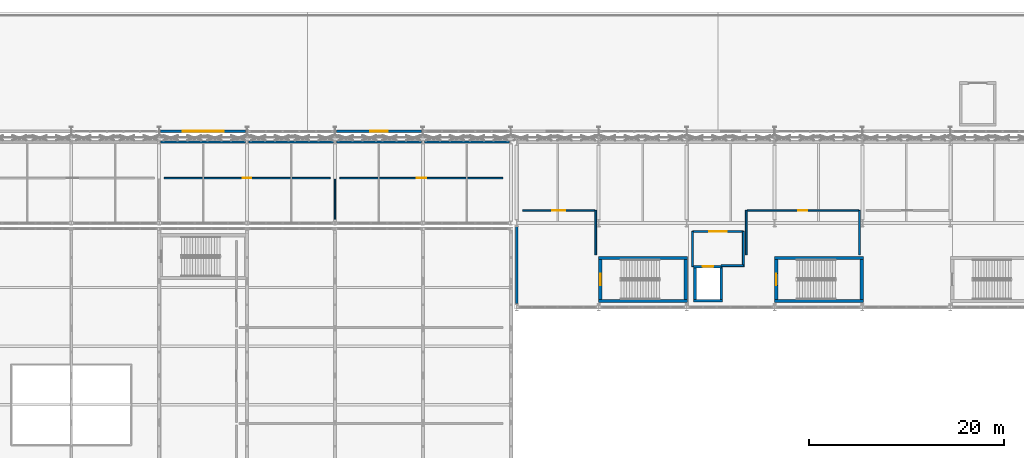
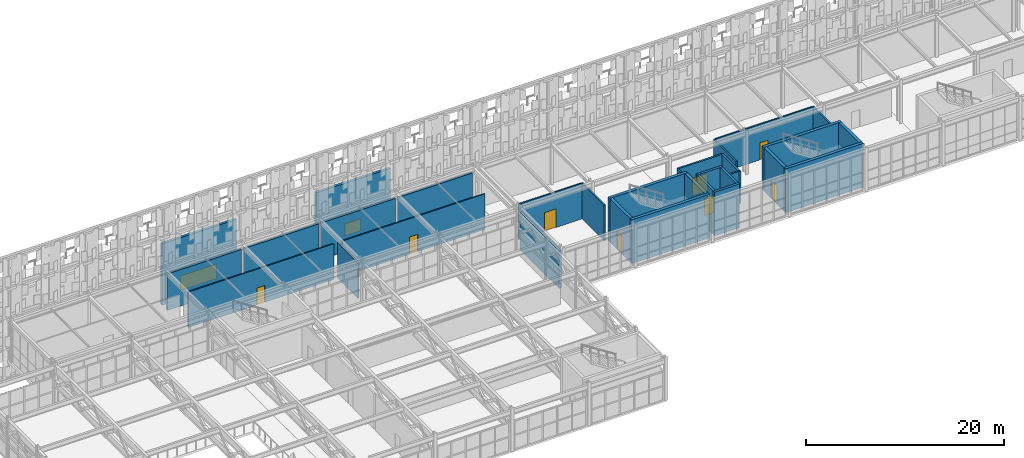
# One storey, part 156 of 210: 31 walls, 8 doors, 2 windows, 10 openings.
"""IFC4 building model written with IfcOpenShell, lengths in metres."""

from ifc_helpers import new_model, si_unit, direction, frame, frame_2d, origin, place, context, subcontext, project, spatial, rectangle, extrude, material, layer, layer_set, type_object, element, fill, save


model = new_model("IFC4")

# Units and contexts
model_context = context("Model", 3, precision=1e-05, world=origin(), true_north=direction((0.0, 1.0)))
body_context = subcontext(model_context, "Body", "Model", "MODEL_VIEW")
ifc_project = project(units=[si_unit("LENGTHUNIT", "METRE"), si_unit("AREAUNIT", "SQUARE_METRE"), si_unit("VOLUMEUNIT", "CUBIC_METRE"), si_unit("PLANEANGLEUNIT", "RADIAN"), si_unit("MASSUNIT", "GRAM", prefix="KILO")], contexts=[model_context])

# Site, building, storey
site_placement = place(None, origin())
site = spatial("IfcSite", under=ifc_project, at=site_placement, CompositionType="ELEMENT")
building_placement = place(site_placement, origin())
building = spatial("IfcBuilding", under=site, at=building_placement, Name="Kaldris Quays Convention Centre", CompositionType="ELEMENT")
storey_placement = place(building_placement, frame((0.0, 0.0, 6.0)))
storey = spatial("IfcBuildingStorey", under=building, at=storey_placement, Name="L01", CompositionType="ELEMENT", Elevation=6.0)

# Wall, opening, window
ifc_material_1 = material(Name="Precast concrete C40/50", Category="concrete")
ifc_layer_1 = layer(ifc_material_1, 0.2880859375)
ifc_layer_set_1 = layer_set([ifc_layer_1], Name="Precast concrete C40/50")
wall_type_1 = type_object("IfcWallType", Name="EXTERIOR WALL EW03", PredefinedType="STANDARD", material=ifc_layer_set_1)
wall_1_placement = place(storey_placement, frame((47.14599609375, 56.0, 0.0), z_axis=(0.0, 0.0, 1.0), x_axis=(1.0, 0.0, 0.0)))
wall_1 = element("IfcWall", 1, at=wall_1_placement, inside=storey, type_object=wall_type_1, Name="L01 Exterior Wall EW03 11", PredefinedType="STANDARD", context=body_context, shape_type="SweptSolid", body=[
    extrude(rectangle(XDim=8.7080078125, YDim=0.2880859375, at=frame_2d((4.35400390625, 0.0))), origin(), (0.0, 0.0, 1.0), 7.60009765625),
])
opening_1_placement = place(wall_1_placement, frame((2.25390625, 0.0, 1.0)))
opening_1 = element("IfcOpeningElement", 2, at=opening_1_placement, cuts=wall_1, Name="Opening WN07", PredefinedType="OPENING", context=body_context, shape_type="SweptSolid", body=[
    extrude(rectangle(XDim=4.199951171875, YDim=1.800048828125, at=frame_2d((2.10009765625, 0.89990234375))), frame((0.0, 0.154052734375, 0.0), z_axis=(0.0, -1.0, 0.0), x_axis=(1.0, 0.0, 0.0)), (0.0, 0.0, 1.0), 0.30810546875),
])
ifc_material_2 = material(Name="Triple low-E insulated glazing", Category="glass")
window_type_1 = type_object("IfcWindowType", Name="TRIPLE GLAZED WINDOW WN07", PartitioningType="SINGLE_PANEL", PredefinedType="WINDOW", material=ifc_material_2)
window_1_placement = place(opening_1_placement, origin())
window_1 = element("IfcWindow", 3, at=window_1_placement, inside=storey, type_object=window_type_1, Name="L01 Exterior Window WN07 2", OverallHeight=1.800048828125, OverallWidth=4.199951171875, PartitioningType="SINGLE_PANEL", PredefinedType="WINDOW", context=body_context, shape_type="SweptSolid", body=[
    extrude(rectangle(XDim=4.199951171875, YDim=1.800048828125, at=frame_2d((2.10009765625, 0.89990234375))), frame((0.0, 0.030029296875, 0.0), z_axis=(0.0, -1.0, 0.0), x_axis=(1.0, 0.0, 0.0)), (0.0, 0.0, 1.0), 0.06005859375),
])
fill(opening_1, window_1)

wall_2_placement = place(storey_placement, frame((65.14599609375, 56.0, 0.0), z_axis=(0.0, 0.0, 1.0), x_axis=(1.0, 0.0, 0.0)))
wall_2 = element("IfcWall", 4, at=wall_2_placement, inside=storey, type_object=wall_type_1, Name="L01 Exterior Wall EW03 17", PredefinedType="STANDARD", context=body_context, shape_type="SweptSolid", body=[
    extrude(rectangle(XDim=8.7080078125, YDim=0.2880859375, at=frame_2d((4.35400390625, 0.0))), origin(), (0.0, 0.0, 1.0), 7.60009765625),
])
opening_2_placement = place(wall_2_placement, frame((3.4541015625, 0.0, 1.0)))
opening_2 = element("IfcOpeningElement", 5, at=opening_2_placement, cuts=wall_2, Name="Opening WN11", PredefinedType="OPENING", context=body_context, shape_type="SweptSolid", body=[
    extrude(rectangle(XDim=1.800048828125, YDim=1.5, at=frame_2d((0.89990234375, 0.75))), frame((0.0, 0.154052734375, 0.0), z_axis=(0.0, -1.0, 0.0), x_axis=(1.0, 0.0, 0.0)), (0.0, 0.0, 1.0), 0.30810546875),
])
window_type_2 = type_object("IfcWindowType", Name="TRIPLE GLAZED WINDOW WN11", PartitioningType="SINGLE_PANEL", PredefinedType="WINDOW", material=ifc_material_2)
window_2_placement = place(opening_2_placement, origin())
window_2 = element("IfcWindow", 6, at=window_2_placement, inside=storey, type_object=window_type_2, Name="L01 Exterior Window WN11 6", OverallHeight=1.5, OverallWidth=1.800048828125, PartitioningType="SINGLE_PANEL", PredefinedType="WINDOW", context=body_context, shape_type="SweptSolid", body=[
    extrude(rectangle(XDim=1.800048828125, YDim=1.5, at=frame_2d((0.89990234375, 0.75))), frame((0.0, 0.030029296875, 0.0), z_axis=(0.0, -1.0, 0.0), x_axis=(1.0, 0.0, 0.0)), (0.0, 0.0, 1.0), 0.06005859375),
])
fill(opening_2, window_2)

# Walls
wall_3_placement = place(storey_placement, frame((83.60009765625, 38.345947265625, 0.0), z_axis=(0.0, 0.0, 1.0), x_axis=(0.0, 1.0, 0.0)))
element("IfcWall", 7, at=wall_3_placement, inside=storey, type_object=wall_type_1, Name="L01 Exterior Wall EW03 246", PredefinedType="STANDARD", context=body_context, shape_type="SweptSolid", body=[
    extrude(rectangle(XDim=7.907958984375, YDim=0.2880859375, at=frame_2d((3.9541015625, 0.0))), origin(), (0.0, 0.0, 1.0), 4.60009765625),
])
ifc_material_3 = material(Name="Anodized aluminium insulated cassette", Category="aluminium")
ifc_layer_2 = layer(ifc_material_3, 0.221923828125)
ifc_layer_set_2 = layer_set([ifc_layer_2], Name="Anodized aluminium insulated cassette")
wall_type_2 = type_object("IfcWallType", Name="EXTERIOR WALL EW06", PredefinedType="STANDARD", material=ifc_layer_set_2)
for number, where, z_axis, x_axis, name in (
    (8, (47.14599609375, 54.89990234375, 0.0), (0.0, 0.0, 1.0), (1.0, 0.0, 0.0), "L01 Exterior Wall EW06 217"),
    (9, (56.14599609375, 54.89990234375, 0.0), (0.0, 0.0, 1.0), (1.0, 0.0, 0.0), "L01 Exterior Wall EW06 218"),
    (10, (65.14599609375, 54.89990234375, 0.0), (0.0, 0.0, 1.0), (1.0, 0.0, 0.0), "L01 Exterior Wall EW06 219"),
    (11, (74.14599609375, 54.89990234375, 0.0), (0.0, 0.0, 1.0), (1.0, 0.0, 0.0), "L01 Exterior Wall EW06 220"),
):
    element("IfcWall", number, at=place(storey_placement, frame(where, z_axis=z_axis, x_axis=x_axis)), inside=storey, type_object=wall_type_2, Name=name, PredefinedType="STANDARD", context=body_context, shape_type="SweptSolid", body=[
        extrude(rectangle(XDim=8.7080078125, YDim=0.221923828125, at=frame_2d((4.35400390625, 0.0))), origin(), (0.0, 0.0, 1.0), 4.528076171875),
    ])

# Wall, opening, door
ifc_material_4 = material(Name="Concrete C35/45", Category="concrete")
ifc_layer_3 = layer(ifc_material_4, 0.199951171875)
ifc_layer_set_3 = layer_set([ifc_layer_3], Name="Concrete C35/45")
wall_type_3 = type_object("IfcWallType", Name="INTERIOR WALL IW01", PredefinedType="PARTITIONING", material=ifc_layer_set_3)
wall_4_placement = place(storey_placement, frame((101.60009765625, 45.75, 0.0), z_axis=(0.0, 0.0, 1.0), x_axis=(1.0, 0.0, 0.0)))
wall_4 = element("IfcWall", 12, at=wall_4_placement, inside=storey, type_object=wall_type_3, Name="L01 Firefighting Lift Lobby FL01 Wall N", PredefinedType="PARTITIONING", context=body_context, shape_type="SweptSolid", body=[
    extrude(rectangle(XDim=5.199951171875, YDim=0.199951171875, at=frame_2d((2.60009765625, 0.0))), origin(), (0.0, 0.0, 1.0), 4.0),
])
opening_3_placement = place(wall_4_placement, frame((1.699951171875, 0.0, 0.0)))
opening_3 = element("IfcOpeningElement", 13, at=opening_3_placement, cuts=wall_4, Name="Opening ID02", PredefinedType="OPENING", context=body_context, shape_type="SweptSolid", body=[
    extrude(rectangle(XDim=1.800048828125, YDim=2.199951171875, at=frame_2d((0.89990234375, 1.10009765625))), frame((0.0, 0.10986328125, 0.0), z_axis=(0.0, -1.0, 0.0), x_axis=(1.0, 0.0, 0.0)), (0.0, 0.0, 1.0), 0.219970703125),
])
ifc_material_5 = material(Name="Steel S355J2 fire-resisting door", Category="steel")
door_type_1 = type_object("IfcDoorType", Name="INTERIOR DOOR ID02", OperationType="DOUBLE_DOOR_SINGLE_SWING", PredefinedType="DOOR", material=ifc_material_5)
door_1_placement = place(opening_3_placement, origin())
door_1 = element("IfcDoor", 14, at=door_1_placement, inside=storey, type_object=door_type_1, Name="L01 Firefighting Lift Lobby FL01 Fire Door", OperationType="DOUBLE_DOOR_SINGLE_SWING", OverallHeight=2.199951171875, OverallWidth=1.800048828125, PredefinedType="DOOR", context=body_context, shape_type="SweptSolid", body=[
    extrude(rectangle(XDim=1.800048828125, YDim=2.199951171875, at=frame_2d((0.89990234375, 1.10009765625))), frame((0.0, 0.02490234375, 0.0), z_axis=(0.0, -1.0, 0.0), x_axis=(1.0, 0.0, 0.0)), (0.0, 0.0, 1.0), 0.050048828125),
])
fill(opening_3, door_1)

# Walls
for number, where, z_axis, x_axis, name in (
    (15, (101.60009765625, 42.14990234375, 0.0), (0.0, 0.0, 1.0), (0.0, 1.0, 0.0), "L01 Firefighting Lift Lobby FL01 Wall W"),
    (16, (106.800048828125, 42.14990234375, 0.0), (0.0, 0.0, 1.0), (0.0, 1.0, 0.0), "L01 Firefighting Lift Lobby FL01 Wall E"),
):
    element("IfcWall", number, at=place(storey_placement, frame(where, z_axis=z_axis, x_axis=x_axis)), inside=storey, type_object=wall_type_3, Name=name, PredefinedType="PARTITIONING", context=body_context, shape_type="SweptSolid", body=[
        extrude(rectangle(XDim=3.60009765625, YDim=0.199951171875, at=frame_2d((1.800048828125, 0.0))), origin(), (0.0, 0.0, 1.0), 4.0),
    ])
wall_5_placement = place(storey_placement, frame((104.5400390625, 42.25, 0.0), z_axis=(0.0, 0.0, 1.0), x_axis=(1.0, 0.0, 0.0)))
element("IfcWall", 17, at=wall_5_placement, inside=storey, type_object=wall_type_3, Name="L01 Firefighting Lift Lobby FL01 Wall S", PredefinedType="PARTITIONING", context=body_context, shape_type="SweptSolid", body=[
    extrude(rectangle(XDim=2.260009765625, YDim=0.199951171875, at=frame_2d((1.1298828125, 0.0))), origin(), (0.0, 0.0, 1.0), 4.0),
])

# Wall, opening, door
ifc_material_6 = material(Name="Acoustic gypsum stud partition", Category="gypsum")
ifc_layer_4 = layer(ifc_material_6, 0.162109375)
ifc_layer_set_4 = layer_set([ifc_layer_4], Name="Acoustic gypsum stud partition")
wall_type_4 = type_object("IfcWallType", Name="INTERIOR WALL IW03", PredefinedType="PARTITIONING", material=ifc_layer_set_4)
wall_6_placement = place(storey_placement, frame((84.199951171875, 47.89990234375, 0.0), z_axis=(0.0, 0.0, 1.0), x_axis=(1.0, 0.0, 0.0)))
wall_6 = element("IfcWall", 18, at=wall_6_placement, inside=storey, type_object=wall_type_4, Name="L01 Interior Wall IW03 53", PredefinedType="PARTITIONING", context=body_context, shape_type="SweptSolid", body=[
    extrude(rectangle(XDim=7.400146484375, YDim=0.162109375, at=frame_2d((3.7001953125, 0.0))), origin(), (0.0, 0.0, 1.0), 4.39990234375),
])
opening_4_placement = place(wall_6_placement, frame((3.02001953125, 0.0, 0.0)))
opening_4 = element("IfcOpeningElement", 19, at=opening_4_placement, cuts=wall_6, Name="Opening ID21", PredefinedType="OPENING", context=body_context, shape_type="SweptSolid", body=[
    extrude(rectangle(XDim=1.360107421875, YDim=2.300048828125, at=frame_2d((0.68017578125, 1.14990234375))), frame((0.0, 0.091064453125, 0.0), z_axis=(0.0, -1.0, 0.0), x_axis=(1.0, 0.0, 0.0)), (0.0, 0.0, 1.0), 0.18212890625),
])
ifc_material_7 = material(Name="Timber seminar room door", Category="wood")
door_type_2 = type_object("IfcDoorType", Name="INTERIOR DOOR ID21", OperationType="NOTDEFINED", PredefinedType="DOOR", material=ifc_material_7)
door_2_placement = place(opening_4_placement, origin())
door_2 = element("IfcDoor", 20, at=door_2_placement, inside=storey, type_object=door_type_2, Name="L01 Interior Door ID21 38", OperationType="SINGLE_SWING_RIGHT", OverallHeight=2.300048828125, OverallWidth=1.360107421875, PredefinedType="DOOR", context=body_context, shape_type="SweptSolid", body=[
    extrude(rectangle(XDim=1.360107421875, YDim=2.300048828125, at=frame_2d((0.68017578125, 1.14990234375))), frame((0.0, 0.02490234375, 0.0), z_axis=(0.0, -1.0, 0.0), x_axis=(1.0, 0.0, 0.0)), (0.0, 0.0, 1.0), 0.050048828125),
])
fill(opening_4, door_2)

# Wall
wall_7_placement = place(storey_placement, frame((91.699951171875, 43.35009765625, 0.0), z_axis=(0.0, 0.0, 1.0), x_axis=(0.0, 1.0, 0.0)))
element("IfcWall", 21, at=wall_7_placement, inside=storey, type_object=wall_type_4, Name="L01 Interior Wall IW03 54", PredefinedType="PARTITIONING", context=body_context, shape_type="SweptSolid", body=[
    extrude(rectangle(XDim=4.5498046875, YDim=0.162109375, at=frame_2d((2.27490234375, 0.0))), origin(), (0.0, 0.0, 1.0), 4.39990234375),
])

# Wall, opening, door
wall_8_placement = place(storey_placement, frame((107.199951171875, 47.89990234375, 0.0), z_axis=(0.0, 0.0, 1.0), x_axis=(1.0, 0.0, 0.0)))
wall_8 = element("IfcWall", 22, at=wall_8_placement, inside=storey, type_object=wall_type_4, Name="L01 Interior Wall IW03 55", PredefinedType="PARTITIONING", context=body_context, shape_type="SweptSolid", body=[
    extrude(rectangle(XDim=11.400146484375, YDim=0.162109375, at=frame_2d((5.7001953125, 0.0))), origin(), (0.0, 0.0, 1.0), 4.39990234375),
])
opening_5_placement = place(wall_8_placement, frame((5.22998046875, 0.0, 0.0)))
opening_5 = element("IfcOpeningElement", 23, at=opening_5_placement, cuts=wall_8, Name="Opening ID01", PredefinedType="OPENING", context=body_context, shape_type="SweptSolid", body=[
    extrude(rectangle(XDim=0.93994140625, YDim=2.1201171875, at=frame_2d((0.469970703125, 1.06005859375))), frame((0.0, 0.091064453125, 0.0), z_axis=(0.0, -1.0, 0.0), x_axis=(1.0, 0.0, 0.0)), (0.0, 0.0, 1.0), 0.18212890625),
])
ifc_material_8 = material(Name="Timber acoustic leaf in steel frame", Category="steel")
door_type_3 = type_object("IfcDoorType", Name="INTERIOR DOOR ID01", OperationType="NOTDEFINED", PredefinedType="DOOR", material=ifc_material_8)
door_3_placement = place(opening_5_placement, origin())
door_3 = element("IfcDoor", 24, at=door_3_placement, inside=storey, type_object=door_type_3, Name="L01 Interior Door ID01 39", OperationType="SINGLE_SWING_LEFT", OverallHeight=2.1201171875, OverallWidth=0.93994140625, PredefinedType="DOOR", context=body_context, shape_type="SweptSolid", body=[
    extrude(rectangle(XDim=0.93994140625, YDim=2.1201171875, at=frame_2d((0.469970703125, 1.06005859375))), frame((0.0, 0.02490234375, 0.0), z_axis=(0.0, -1.0, 0.0), x_axis=(1.0, 0.0, 0.0)), (0.0, 0.0, 1.0), 0.050048828125),
])
fill(opening_5, door_3)

# Walls
for number, where, z_axis, x_axis, name in (
    (25, (107.10009765625, 43.35009765625, 0.0), (0.0, 0.0, 1.0), (0.0, 1.0, 0.0), "L01 Interior Wall IW03 56"),
    (26, (118.699951171875, 43.35009765625, 0.0), (0.0, 0.0, 1.0), (0.0, 1.0, 0.0), "L01 Interior Wall IW03 57"),
):
    element("IfcWall", number, at=place(storey_placement, frame(where, z_axis=z_axis, x_axis=x_axis)), inside=storey, type_object=wall_type_4, Name=name, PredefinedType="PARTITIONING", context=body_context, shape_type="SweptSolid", body=[
        extrude(rectangle(XDim=4.5498046875, YDim=0.162109375, at=frame_2d((2.27490234375, 0.0))), origin(), (0.0, 0.0, 1.0), 4.39990234375),
    ])

# Wall, opening, door
ifc_layer_5 = layer(ifc_material_6, 0.14794921875)
ifc_layer_set_5 = layer_set([ifc_layer_5], Name="Acoustic gypsum stud partition")
wall_type_5 = type_object("IfcWallType", Name="INTERIOR WALL IW04", PredefinedType="PARTITIONING", material=ifc_layer_set_5)
wall_9_placement = place(storey_placement, frame((47.5, 51.199951171875, 0.0), z_axis=(0.0, 0.0, 1.0), x_axis=(1.0, 0.0, 0.0)))
wall_9 = element("IfcWall", 27, at=wall_9_placement, inside=storey, type_object=wall_type_5, Name="L01 Interior Wall IW04 49", PredefinedType="PARTITIONING", context=body_context, shape_type="SweptSolid", body=[
    extrude(rectangle(XDim=17.0, YDim=0.14794921875, at=frame_2d((8.5, 0.0))), origin(), (0.0, 0.0, 1.0), 4.39990234375),
])
opening_6_placement = place(wall_9_placement, frame((8.050048828125, 0.0, 0.0)))
opening_6 = element("IfcOpeningElement", 28, at=opening_6_placement, cuts=wall_9, Name="Opening ID12", PredefinedType="OPENING", context=body_context, shape_type="SweptSolid", body=[
    extrude(rectangle(XDim=0.89990234375, YDim=2.080078125, at=frame_2d((0.449951171875, 1.0400390625))), frame((0.0, 0.083984375, 0.0), z_axis=(0.0, -1.0, 0.0), x_axis=(1.0, 0.0, 0.0)), (0.0, 0.0, 1.0), 0.16796875),
])
ifc_material_9 = material(Name="Moisture-resistant sanitary room door", Category="wood")
door_type_4 = type_object("IfcDoorType", Name="INTERIOR DOOR ID12", OperationType="NOTDEFINED", PredefinedType="DOOR", material=ifc_material_9)
door_4_placement = place(opening_6_placement, origin())
door_4 = element("IfcDoor", 29, at=door_4_placement, inside=storey, type_object=door_type_4, Name="L01 Interior Door ID12 36", OperationType="SINGLE_SWING_RIGHT", OverallHeight=2.080078125, OverallWidth=0.89990234375, PredefinedType="DOOR", context=body_context, shape_type="SweptSolid", body=[
    extrude(rectangle(XDim=0.89990234375, YDim=2.080078125, at=frame_2d((0.449951171875, 1.0400390625))), frame((0.0, 0.02490234375, 0.0), z_axis=(0.0, -1.0, 0.0), x_axis=(1.0, 0.0, 0.0)), (0.0, 0.0, 1.0), 0.050048828125),
])
fill(opening_6, door_4)

wall_10_placement = place(storey_placement, frame((65.5, 51.199951171875, 0.0), z_axis=(0.0, 0.0, 1.0), x_axis=(1.0, 0.0, 0.0)))
wall_10 = element("IfcWall", 30, at=wall_10_placement, inside=storey, type_object=wall_type_5, Name="L01 Interior Wall IW04 50", PredefinedType="PARTITIONING", context=body_context, shape_type="SweptSolid", body=[
    extrude(rectangle(XDim=16.699951171875, YDim=0.14794921875, at=frame_2d((8.35009765625, 0.0))), origin(), (0.0, 0.0, 1.0), 4.39990234375),
])
opening_7_placement = place(wall_10_placement, frame((7.860107421875, 0.0, 0.0)))
opening_7 = element("IfcOpeningElement", 31, at=opening_7_placement, cuts=wall_10, Name="Opening ID13", PredefinedType="OPENING", context=body_context, shape_type="SweptSolid", body=[
    extrude(rectangle(XDim=0.97998046875, YDim=2.139892578125, at=frame_2d((0.489990234375, 1.06982421875))), frame((0.0, 0.083984375, 0.0), z_axis=(0.0, -1.0, 0.0), x_axis=(1.0, 0.0, 0.0)), (0.0, 0.0, 1.0), 0.16796875),
])
ifc_material_10 = material(Name="SIA 500 accessible sanitary room door", Category="wood")
door_type_5 = type_object("IfcDoorType", Name="INTERIOR DOOR ID13", OperationType="NOTDEFINED", PredefinedType="DOOR", material=ifc_material_10)
door_5_placement = place(opening_7_placement, origin())
door_5 = element("IfcDoor", 32, at=door_5_placement, inside=storey, type_object=door_type_5, Name="L01 Interior Door ID13 37", OperationType="SINGLE_SWING_LEFT", OverallHeight=2.139892578125, OverallWidth=0.97998046875, PredefinedType="DOOR", context=body_context, shape_type="SweptSolid", body=[
    extrude(rectangle(XDim=0.97998046875, YDim=2.139892578125, at=frame_2d((0.489990234375, 1.06982421875))), frame((0.0, 0.02490234375, 0.0), z_axis=(0.0, -1.0, 0.0), x_axis=(1.0, 0.0, 0.0)), (0.0, 0.0, 1.0), 0.050048828125),
])
fill(opening_7, door_5)

# Walls
ifc_material_11 = material(Name="Steel S355J2 acoustic operable panel", Category="steel")
ifc_layer_6 = layer(ifc_material_11, 0.14208984375)
ifc_layer_set_6 = layer_set([ifc_layer_6], Name="Steel S355J2 acoustic operable panel")
wall_type_6 = type_object("IfcWallType", Name="INTERIOR WALL MW01", PredefinedType="MOVABLE", material=ifc_layer_set_6)
wall_11_placement = place(storey_placement, frame((65.0, 47.0, 0.0), z_axis=(0.0, 0.0, 1.0), x_axis=(0.0, 1.0, 0.0)))
element("IfcWall", 33, at=wall_11_placement, inside=storey, type_object=wall_type_6, Name="L01 Interior Wall MW01 52", PredefinedType="MOVABLE", context=body_context, shape_type="SweptSolid", body=[
    extrude(rectangle(XDim=4.10009765625, YDim=0.14208984375, at=frame_2d((2.050048828125, 0.0))), origin(), (0.0, 0.0, 1.0), 4.39990234375),
])
ifc_material_12 = material(Name="Concrete C40/50", Category="concrete")
ifc_layer_7 = layer(ifc_material_12, 0.35009765625)
ifc_layer_set_7 = layer_set([ifc_layer_7], Name="Concrete C40/50")
wall_type_7 = type_object("IfcWallType", Name="STRUCTURAL WALL SW01", PredefinedType="SHEAR", material=ifc_layer_set_7)
for number, where, z_axis, x_axis, name in (
    (34, (92.0, 38.625, 0.0), (0.0, 0.0, 1.0), (1.0, 0.0, 0.0), "L01 Core Shear Wall CORE-ST11-L01-S"),
    (35, (92.0, 43.02490234375, 0.0), (0.0, 0.0, 1.0), (1.0, 0.0, 0.0), "L01 Core Shear Wall CORE-ST11-L01-N"),
):
    element("IfcWall", number, at=place(storey_placement, frame(where, z_axis=z_axis, x_axis=x_axis)), inside=storey, type_object=wall_type_7, Name=name, PredefinedType="SHEAR", context=body_context, shape_type="SweptSolid", body=[
        extrude(rectangle(XDim=9.10009765625, YDim=0.35009765625, at=frame_2d((4.550048828125, 0.0))), origin(), (0.0, 0.0, 1.0), 5.39990234375),
    ])

# Wall, opening, door
wall_12_placement = place(storey_placement, frame((92.175048828125, 38.800048828125, 0.0), z_axis=(0.0, 0.0, 1.0), x_axis=(0.0, 1.0, 0.0)))
wall_12 = element("IfcWall", 36, at=wall_12_placement, inside=storey, type_object=wall_type_7, Name="L01 Core Shear Wall CORE-ST11-L01-W", PredefinedType="SHEAR", context=body_context, shape_type="SweptSolid", body=[
    extrude(rectangle(XDim=4.050048828125, YDim=0.35009765625, at=frame_2d((2.02490234375, 0.0))), origin(), (0.0, 0.0, 1.0), 5.39990234375),
])
opening_8_placement = place(wall_12_placement, frame((1.425048828125, 0.0, 0.0)))
opening_8 = element("IfcOpeningElement", 37, at=opening_8_placement, cuts=wall_12, Name="Opening ID03", PredefinedType="OPENING", context=body_context, shape_type="SweptSolid", body=[
    extrude(rectangle(XDim=1.199951171875, YDim=2.199951171875, at=frame_2d((0.60009765625, 1.10009765625))), frame((0.0, 0.18505859375, 0.0), z_axis=(0.0, -1.0, 0.0), x_axis=(1.0, 0.0, 0.0)), (0.0, 0.0, 1.0), 0.3701171875),
])
door_type_6 = type_object("IfcDoorType", Name="INTERIOR DOOR ID03", OperationType="NOTDEFINED", PredefinedType="DOOR", material=ifc_material_5)
door_6_placement = place(opening_8_placement, frame((1.199951171875, 0.0, 0.0), z_axis=(0.0, 0.0, 1.0), x_axis=(-1.0, 0.0, 0.0)))
door_6 = element("IfcDoor", 38, at=door_6_placement, inside=storey, type_object=door_type_6, Name="L01 Escape Stair ST11 Fire Door", OperationType="SINGLE_SWING_LEFT", OverallHeight=2.199951171875, OverallWidth=1.199951171875, PredefinedType="DOOR", context=body_context, shape_type="SweptSolid", body=[
    extrude(rectangle(XDim=1.199951171875, YDim=2.199951171875, at=frame_2d((0.60009765625, 1.10009765625))), frame((0.0, 0.02490234375, 0.0), z_axis=(0.0, -1.0, 0.0), x_axis=(1.0, 0.0, 0.0)), (0.0, 0.0, 1.0), 0.050048828125),
])
fill(opening_8, door_6)

# Walls
wall_13_placement = place(storey_placement, frame((100.925048828125, 38.800048828125, 0.0), z_axis=(0.0, 0.0, 1.0), x_axis=(0.0, 1.0, 0.0)))
element("IfcWall", 39, at=wall_13_placement, inside=storey, type_object=wall_type_7, Name="L01 Core Shear Wall CORE-ST11-L01-E", PredefinedType="SHEAR", context=body_context, shape_type="SweptSolid", body=[
    extrude(rectangle(XDim=4.050048828125, YDim=0.35009765625, at=frame_2d((2.02490234375, 0.0))), origin(), (0.0, 0.0, 1.0), 5.39990234375),
])
for number, where, z_axis, x_axis, name in (
    (40, (110.0, 38.625, 0.0), (0.0, 0.0, 1.0), (1.0, 0.0, 0.0), "L01 Core Shear Wall CORE-ST13-L01-S"),
    (41, (110.0, 43.02490234375, 0.0), (0.0, 0.0, 1.0), (1.0, 0.0, 0.0), "L01 Core Shear Wall CORE-ST13-L01-N"),
):
    element("IfcWall", number, at=place(storey_placement, frame(where, z_axis=z_axis, x_axis=x_axis)), inside=storey, type_object=wall_type_7, Name=name, PredefinedType="SHEAR", context=body_context, shape_type="SweptSolid", body=[
        extrude(rectangle(XDim=9.10009765625, YDim=0.35009765625, at=frame_2d((4.550048828125, 0.0))), origin(), (0.0, 0.0, 1.0), 5.39990234375),
    ])

# Wall, opening, door
wall_14_placement = place(storey_placement, frame((110.175048828125, 38.800048828125, 0.0), z_axis=(0.0, 0.0, 1.0), x_axis=(0.0, 1.0, 0.0)))
wall_14 = element("IfcWall", 42, at=wall_14_placement, inside=storey, type_object=wall_type_7, Name="L01 Core Shear Wall CORE-ST13-L01-W", PredefinedType="SHEAR", context=body_context, shape_type="SweptSolid", body=[
    extrude(rectangle(XDim=4.050048828125, YDim=0.35009765625, at=frame_2d((2.02490234375, 0.0))), origin(), (0.0, 0.0, 1.0), 5.39990234375),
])
opening_9_placement = place(wall_14_placement, frame((1.425048828125, 0.0, 0.0)))
opening_9 = element("IfcOpeningElement", 43, at=opening_9_placement, cuts=wall_14, Name="Opening ID03", PredefinedType="OPENING", context=body_context, shape_type="SweptSolid", body=[
    extrude(rectangle(XDim=1.199951171875, YDim=2.199951171875, at=frame_2d((0.60009765625, 1.10009765625))), frame((0.0, 0.18505859375, 0.0), z_axis=(0.0, -1.0, 0.0), x_axis=(1.0, 0.0, 0.0)), (0.0, 0.0, 1.0), 0.3701171875),
])
door_7_placement = place(opening_9_placement, frame((1.199951171875, 0.0, 0.0), z_axis=(0.0, 0.0, 1.0), x_axis=(-1.0, 0.0, 0.0)))
door_7 = element("IfcDoor", 44, at=door_7_placement, inside=storey, type_object=door_type_6, Name="L01 Escape Stair ST13 Fire Door", OperationType="SINGLE_SWING_LEFT", OverallHeight=2.199951171875, OverallWidth=1.199951171875, PredefinedType="DOOR", context=body_context, shape_type="SweptSolid", body=[
    extrude(rectangle(XDim=1.199951171875, YDim=2.199951171875, at=frame_2d((0.60009765625, 1.10009765625))), frame((0.0, 0.02490234375, 0.0), z_axis=(0.0, -1.0, 0.0), x_axis=(1.0, 0.0, 0.0)), (0.0, 0.0, 1.0), 0.050048828125),
])
fill(opening_9, door_7)

# Walls
wall_15_placement = place(storey_placement, frame((118.925048828125, 38.800048828125, 0.0), z_axis=(0.0, 0.0, 1.0), x_axis=(0.0, 1.0, 0.0)))
element("IfcWall", 45, at=wall_15_placement, inside=storey, type_object=wall_type_7, Name="L01 Core Shear Wall CORE-ST13-L01-E", PredefinedType="SHEAR", context=body_context, shape_type="SweptSolid", body=[
    extrude(rectangle(XDim=4.050048828125, YDim=0.35009765625, at=frame_2d((2.02490234375, 0.0))), origin(), (0.0, 0.0, 1.0), 5.39990234375),
])
ifc_layer_8 = layer(ifc_material_12, 0.280029296875)
ifc_layer_set_8 = layer_set([ifc_layer_8], Name="Concrete C40/50")
wall_type_8 = type_object("IfcWallType", Name="STRUCTURAL WALL SW03", PredefinedType="SHEAR", material=ifc_layer_set_8)
wall_16_placement = place(storey_placement, frame((101.719970703125, 38.659912109375, 0.0), z_axis=(0.0, 0.0, 1.0), x_axis=(1.0, 0.0, 0.0)))
element("IfcWall", 46, at=wall_16_placement, inside=storey, type_object=wall_type_8, Name="L01 Core Shear Wall LSHAFT-FL01-L01-S", PredefinedType="SHEAR", context=body_context, shape_type="SweptSolid", body=[
    extrude(rectangle(XDim=2.9599609375, YDim=0.280029296875, at=frame_2d((1.47998046875, 0.0))), origin(), (0.0, 0.0, 1.0), 5.39990234375),
])

# Wall, opening, door
wall_17_placement = place(storey_placement, frame((101.719970703125, 42.139892578125, 0.0), z_axis=(0.0, 0.0, 1.0), x_axis=(1.0, 0.0, 0.0)))
wall_17 = element("IfcWall", 47, at=wall_17_placement, inside=storey, type_object=wall_type_8, Name="L01 Core Shear Wall LSHAFT-FL01-L01-N", PredefinedType="SHEAR", context=body_context, shape_type="SweptSolid", body=[
    extrude(rectangle(XDim=2.9599609375, YDim=0.280029296875, at=frame_2d((1.47998046875, 0.0))), origin(), (0.0, 0.0, 1.0), 5.39990234375),
])
opening_10_placement = place(wall_17_placement, frame((0.929931640625, 0.0, 0.0)))
opening_10 = element("IfcOpeningElement", 48, at=opening_10_placement, cuts=wall_17, Name="Opening LD01", PredefinedType="OPENING", context=body_context, shape_type="SweptSolid", body=[
    extrude(rectangle(XDim=1.10009765625, YDim=2.14990234375, at=frame_2d((0.550048828125, 1.074951171875))), frame((0.0, 0.14990234375, 0.0), z_axis=(0.0, -1.0, 0.0), x_axis=(1.0, 0.0, 0.0)), (0.0, 0.0, 1.0), 0.300048828125),
])
ifc_material_13 = material(Name="Stainless steel 1.4301 lift landing door", Category="steel")
door_type_7 = type_object("IfcDoorType", Name="INTERIOR DOOR LD01", OperationType="DOUBLE_DOOR_SLIDING", PredefinedType="DOOR", material=ifc_material_13)
door_8_placement = place(opening_10_placement, origin())
door_8 = element("IfcDoor", 49, at=door_8_placement, inside=storey, type_object=door_type_7, Name="L01 FL01 Sliding Lift Landing Door", OperationType="DOUBLE_DOOR_SLIDING", OverallHeight=2.14990234375, OverallWidth=1.10009765625, PredefinedType="DOOR", context=body_context, shape_type="SweptSolid", body=[
    extrude(rectangle(XDim=1.10009765625, YDim=2.14990234375, at=frame_2d((0.550048828125, 1.074951171875))), frame((0.0, 0.02490234375, 0.0), z_axis=(0.0, -1.0, 0.0), x_axis=(1.0, 0.0, 0.0)), (0.0, 0.0, 1.0), 0.050048828125),
])
fill(opening_10, door_8)

# Walls
for number, where, z_axis, x_axis, name in (
    (50, (101.860107421875, 38.800048828125, 0.0), (0.0, 0.0, 1.0), (0.0, 1.0, 0.0), "L01 Core Shear Wall LSHAFT-FL01-L01-W"),
    (51, (104.5400390625, 38.800048828125, 0.0), (0.0, 0.0, 1.0), (0.0, 1.0, 0.0), "L01 Core Shear Wall LSHAFT-FL01-L01-E"),
):
    element("IfcWall", number, at=place(storey_placement, frame(where, z_axis=z_axis, x_axis=x_axis)), inside=storey, type_object=wall_type_8, Name=name, PredefinedType="SHEAR", context=body_context, shape_type="SweptSolid", body=[
        extrude(rectangle(XDim=3.199951171875, YDim=0.280029296875, at=frame_2d((1.60009765625, 0.0))), origin(), (0.0, 0.0, 1.0), 5.39990234375),
    ])

save(model, "model.ifc")
